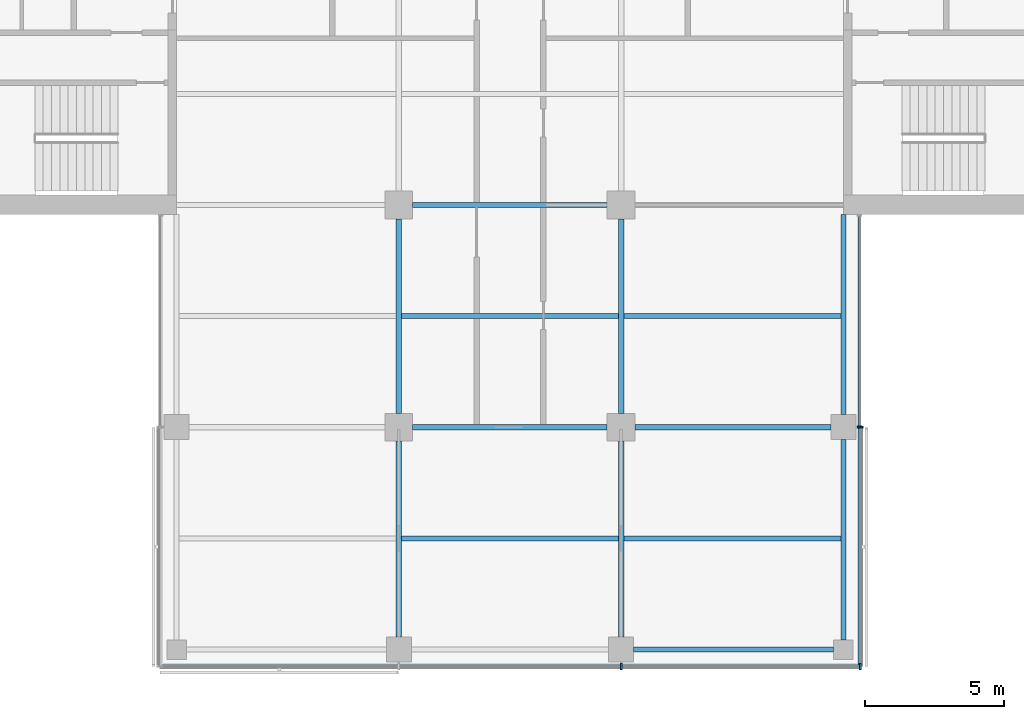
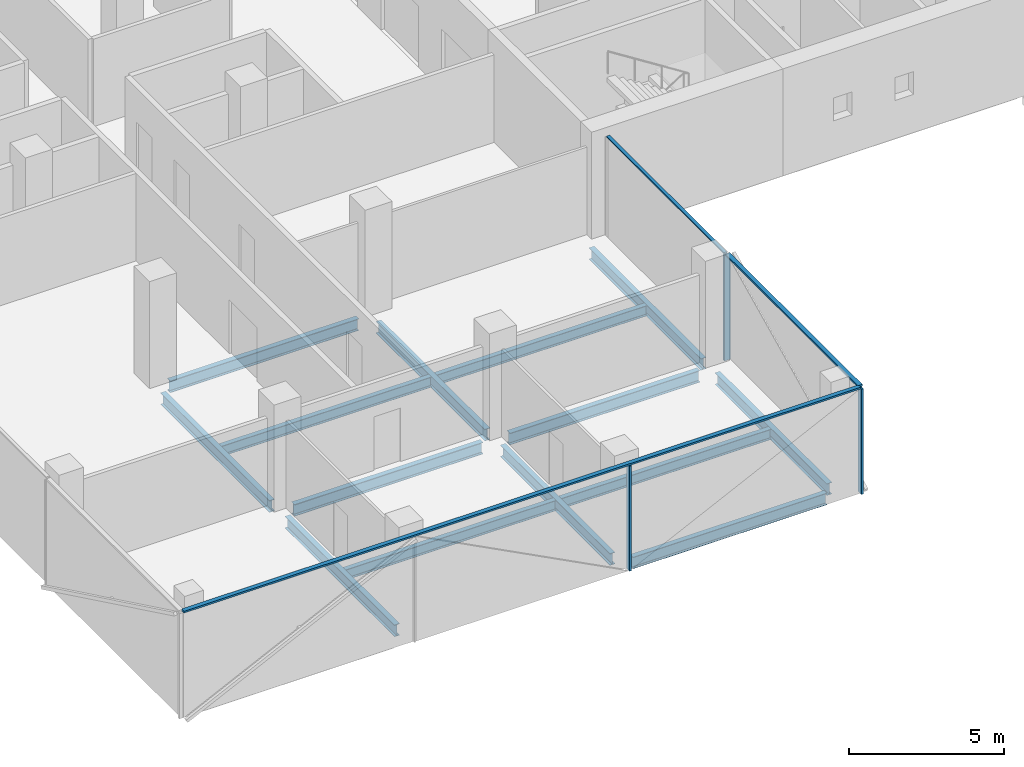
# One storey, part 5 of 22: 14 beams, 7 members, 3 elements without a shape of their own.
"""IFC4 building model written with IfcOpenShell, lengths in metres."""

from ifc_helpers import new_model, si_unit, direction, frame, origin, origin_2d, place, context, subcontext, project, spatial, rectangle, i_section, extrude, material, material_profile, profile_set, type_object, element, aggregate, save


model = new_model("IFC4")

# Units and contexts
model_context = context("Model", 3, precision=1e-05, world=origin(), true_north=direction((0.0, 1.0)))
body_context = subcontext(model_context, "Body", "Model", "MODEL_VIEW")
ifc_project = project(units=[si_unit("LENGTHUNIT", "METRE"), si_unit("AREAUNIT", "SQUARE_METRE"), si_unit("VOLUMEUNIT", "CUBIC_METRE"), si_unit("PLANEANGLEUNIT", "RADIAN"), si_unit("MASSUNIT", "GRAM", prefix="KILO")], contexts=[model_context])

# Site, building, storey
site_placement = place(None, origin())
site = spatial("IfcSite", under=ifc_project, at=site_placement, CompositionType="ELEMENT")
building_placement = place(site_placement, origin())
building = spatial("IfcBuilding", under=site, at=building_placement, Name="Crosswind Convention Tower", CompositionType="ELEMENT")
storey_placement = place(building_placement, frame((0.0, 0.0, 121.10009765625)))
storey = spatial("IfcBuildingStorey", under=building, at=storey_placement, Name="L24", CompositionType="ELEMENT", Elevation=121.10009765625)

# Beams
ifc_material_1 = material(Name="Steel S355", Category="steel")
ifc_material_profile_1 = material_profile(ifc_material_1, i_section(OverallWidth=0.18994140625, OverallDepth=0.45361328125, WebThickness=0.008544921875, FlangeThickness=0.0126953125, FilletRadius=0.01025390625, at=origin_2d()), Name="UB 457x191x67")
ifc_profile_set_1 = profile_set([ifc_material_profile_1], Name="Steel S355")
beam_type_1 = type_object("IfcBeamType", Name="Edge beam UB 457x191x67", PredefinedType="SPANDREL", material=ifc_profile_set_1)
for number, where, z_axis, x_axis, name in (
    (1, (129.449951171875, 72.0, -0.52685546875), (1.0, 0.0, 0.0), (0.0, 1.0, 0.0), "B16 L24 edge beam 14"),
    (2, (137.0, 72.35009765625, -0.52685546875), (0.0, 1.0, 0.0), (-1.0, 0.0, 0.0), "B16 L24 edge beam 16"),
    (3, (137.0, 80.449951171875, -0.52685546875), (0.0, 1.0, 0.0), (-1.0, 0.0, 0.0), "B16 L24 edge beam 17"),
):
    element("IfcBeam", number, at=place(storey_placement, frame(where, z_axis=z_axis, x_axis=x_axis)), inside=storey, type_object=beam_type_1, Name=name, PredefinedType="SPANDREL", context=body_context, shape_type="SweptSolid", body=[
        extrude(i_section(OverallWidth=0.18994140625, OverallDepth=0.45361328125, WebThickness=0.008544921875, FlangeThickness=0.0126953125, FilletRadius=0.01025390625, at=origin_2d()), origin(), (0.0, 0.0, 1.0), 7.199951171875),
    ])
ifc_material_profile_2 = material_profile(ifc_material_1, i_section(OverallWidth=0.19140625, OverallDepth=0.460205078125, WebThickness=0.010009765625, FlangeThickness=0.01611328125, FilletRadius=0.01025390625, at=origin_2d()), Name="UB 457x191x82")
ifc_profile_set_2 = profile_set([ifc_material_profile_2], Name="Steel S355")
beam_type_2 = type_object("IfcBeamType", Name="Girder UB 457x191x82", PredefinedType="BEAM", material=ifc_profile_set_2)
beam_1_placement = place(storey_placement, frame((121.0, 72.449951171875, -0.5302734375), z_axis=(0.0, 1.0, 0.0), x_axis=(-1.0, 0.0, 0.0)))
element("IfcBeam", 4, at=beam_1_placement, inside=storey, type_object=beam_type_2, Name="B3 L24 girder 3", PredefinedType="BEAM", context=body_context, shape_type="SweptSolid", body=[
    extrude(i_section(OverallWidth=0.19140625, OverallDepth=0.460205078125, WebThickness=0.010009765625, FlangeThickness=0.01611328125, FilletRadius=0.01025390625, at=origin_2d()), origin(), (0.0, 0.0, 1.0), 7.050048828125),
])
for number, where, z_axis, x_axis, name in (
    (5, (121.0, 80.5, -0.5302734375), (0.0, 1.0, 0.0), (-1.0, 0.0, 0.0), "B3 L24 girder 4"),
    (6, (121.5, 80.0, -0.5302734375), (1.0, 0.0, 0.0), (0.0, 1.0, 0.0), "B3 L24 girder 10"),
    (7, (121.5, 88.0, -0.5302734375), (1.0, 0.0, 0.0), (0.0, 1.0, 0.0), "B3 L24 girder 11"),
):
    element("IfcBeam", number, at=place(storey_placement, frame(where, z_axis=z_axis, x_axis=x_axis)), inside=storey, type_object=beam_type_2, Name=name, PredefinedType="BEAM", context=body_context, shape_type="SweptSolid", body=[
        extrude(i_section(OverallWidth=0.19140625, OverallDepth=0.460205078125, WebThickness=0.010009765625, FlangeThickness=0.01611328125, FilletRadius=0.01025390625, at=origin_2d()), origin(), (0.0, 0.0, 1.0), 7.0),
    ])
beam_2_placement = place(storey_placement, frame((129.0, 72.449951171875, -0.5302734375), z_axis=(0.0, 1.0, 0.0), x_axis=(-1.0, 0.0, 0.0)))
element("IfcBeam", 8, at=beam_2_placement, inside=storey, type_object=beam_type_2, Name="B3 L24 girder 16", PredefinedType="BEAM", context=body_context, shape_type="SweptSolid", body=[
    extrude(i_section(OverallWidth=0.19140625, OverallDepth=0.460205078125, WebThickness=0.010009765625, FlangeThickness=0.01611328125, FilletRadius=0.01025390625, at=origin_2d()), origin(), (0.0, 0.0, 1.0), 7.050048828125),
])
beam_3_placement = place(storey_placement, frame((129.0, 80.5, -0.5302734375), z_axis=(0.0, 1.0, 0.0), x_axis=(-1.0, 0.0, 0.0)))
element("IfcBeam", 9, at=beam_3_placement, inside=storey, type_object=beam_type_2, Name="B3 L24 girder 17", PredefinedType="BEAM", context=body_context, shape_type="SweptSolid", body=[
    extrude(i_section(OverallWidth=0.19140625, OverallDepth=0.460205078125, WebThickness=0.010009765625, FlangeThickness=0.01611328125, FilletRadius=0.01025390625, at=origin_2d()), origin(), (0.0, 0.0, 1.0), 7.0),
])
beam_4_placement = place(storey_placement, frame((129.5, 80.0, -0.5302734375), z_axis=(1.0, 0.0, 0.0), x_axis=(0.0, 1.0, 0.0)))
element("IfcBeam", 10, at=beam_4_placement, inside=storey, type_object=beam_type_2, Name="B3 L24 girder 23", PredefinedType="BEAM", context=body_context, shape_type="SweptSolid", body=[
    extrude(i_section(OverallWidth=0.19140625, OverallDepth=0.460205078125, WebThickness=0.010009765625, FlangeThickness=0.01611328125, FilletRadius=0.01025390625, at=origin_2d()), origin(), (0.0, 0.0, 1.0), 7.050048828125),
])

# Curtain wall, member
ifc_material_2 = material(Name="Aluminium unitised curtain wall", Category="aluminium")
curtain_wall_type_1 = type_object("IfcCurtainWallType", Name="CORE END SLOT WALL 160", PredefinedType="USERDEFINED", material=ifc_material_2)
curtain_wall_1_placement = place(storey_placement, origin())
curtain_wall_1 = element("IfcCurtainWall", 11, at=curtain_wall_1_placement, inside=storey, type_object=curtain_wall_type_1, Name="CW6 L24 S-E.1-2 slot", ObjectType="UNITISED", PredefinedType="USERDEFINED")
ifc_material_3 = material(Name="Aluminium mullion", Category="aluminium")
ifc_material_profile_3 = material_profile(ifc_material_3, rectangle(XDim=0.159912109375, YDim=0.050048828125, at=origin_2d()), Name="AL 160X50")
ifc_profile_set_3 = profile_set([ifc_material_profile_3], Name="Aluminium mullion")
member_type_1 = type_object("IfcMemberType", Name="MULLION 50X160", PredefinedType="MULLION", material=ifc_profile_set_3)
member_1_placement = place(storey_placement, frame((137.580078125, 80.02490234375, -0.300048828125), z_axis=(0.0, 0.0, 1.0), x_axis=(1.0, 0.0, 0.0)))
member_1 = element("IfcMember", 12, at=member_1_placement, type_object=member_type_1, Name="CW6 mullion 1", PredefinedType="MULLION", context=body_context, shape_type="SweptSolid", body=[
    extrude(rectangle(XDim=0.159912109375, YDim=0.050048828125, at=origin_2d()), origin(), (0.0, 0.0, 1.0), 4.14990234375),
])

# Curtain wall, members
curtain_wall_type_2 = type_object("IfcCurtainWallType", Name="OFFICE UNITISED WALL 220", PredefinedType="USERDEFINED", material=ifc_material_2)
curtain_wall_2_placement = place(storey_placement, origin())
curtain_wall_2 = element("IfcCurtainWall", 13, at=curtain_wall_2_placement, inside=storey, type_object=curtain_wall_type_2, Name="CW3 L24 S-TIP 1", ObjectType="UNITISED", PredefinedType="USERDEFINED")
ifc_material_profile_4 = material_profile(ifc_material_3, rectangle(XDim=0.219970703125, YDim=0.070068359375, at=origin_2d()), Name="AL 220X70")
ifc_profile_set_4 = profile_set([ifc_material_profile_4], Name="Aluminium mullion")
member_type_2 = type_object("IfcMemberType", Name="MULLION 70X220", PredefinedType="MULLION", material=ifc_profile_set_4)
member_2_placement = place(storey_placement, frame((129.0, 71.389892578125, -0.300048828125), z_axis=(0.0, 0.0, 1.0), x_axis=(0.0, -1.0, 0.0)))
member_2 = element("IfcMember", 14, at=member_2_placement, type_object=member_type_2, Name="CW3 mullion 3", PredefinedType="MULLION", context=body_context, shape_type="SweptSolid", body=[
    extrude(rectangle(XDim=0.219970703125, YDim=0.070068359375, at=origin_2d()), origin(), (0.0, 0.0, 1.0), 4.1298828125),
])
member_3_placement = place(storey_placement, frame((137.610107421875, 71.389892578125, -0.300048828125), z_axis=(0.0, 0.0, 1.0), x_axis=(0.0, -1.0, 0.0)))
member_3 = element("IfcMember", 15, at=member_3_placement, type_object=member_type_2, Name="CW3 mullion 4", PredefinedType="MULLION", context=body_context, shape_type="SweptSolid", body=[
    extrude(rectangle(XDim=0.219970703125, YDim=0.070068359375, at=origin_2d()), origin(), (0.0, 0.0, 1.0), 4.1298828125),
])

# Curtain wall, member
curtain_wall_3_placement = place(storey_placement, origin())
curtain_wall_3 = element("IfcCurtainWall", 16, at=curtain_wall_3_placement, inside=storey, type_object=curtain_wall_type_2, Name="CW3 L24 S-E 1", ObjectType="UNITISED", PredefinedType="USERDEFINED")
member_4_placement = place(storey_placement, frame((137.610107421875, 80.0, -0.300048828125), z_axis=(0.0, 0.0, 1.0), x_axis=(1.0, 0.0, 0.0)))
member_4 = element("IfcMember", 17, at=member_4_placement, type_object=member_type_2, Name="CW3 mullion 2", PredefinedType="MULLION", context=body_context, shape_type="SweptSolid", body=[
    extrude(rectangle(XDim=0.219970703125, YDim=0.070068359375, at=origin_2d()), origin(), (0.0, 0.0, 1.0), 4.1298828125),
])

# Beams
ifc_material_profile_5 = material_profile(ifc_material_1, i_section(OverallWidth=0.177734375, OverallDepth=0.406494140625, WebThickness=0.0078125, FlangeThickness=0.0126953125, FilletRadius=0.01025390625, at=origin_2d()), Name="UB 406x178x60")
ifc_profile_set_5 = profile_set([ifc_material_profile_5], Name="Steel S355")
beam_type_3 = type_object("IfcBeamType", Name="Secondary beam UB 406x178x60", PredefinedType="JOIST", material=ifc_profile_set_5)
for number, where, z_axis, x_axis, name in (
    (18, (121.095703125, 76.0, -0.50341796875), (1.0, 0.0, 0.0), (0.0, 1.0, 0.0), "B10 L24 secondary beam 11"),
    (19, (121.095703125, 84.0, -0.50341796875), (1.0, 0.0, 0.0), (0.0, 1.0, 0.0), "B10 L24 secondary beam 12"),
):
    element("IfcBeam", number, at=place(storey_placement, frame(where, z_axis=z_axis, x_axis=x_axis)), inside=storey, type_object=beam_type_3, Name=name, PredefinedType="JOIST", context=body_context, shape_type="SweptSolid", body=[
        extrude(i_section(OverallWidth=0.177734375, OverallDepth=0.406494140625, WebThickness=0.0078125, FlangeThickness=0.0126953125, FilletRadius=0.01025390625, at=origin_2d()), origin(), (0.0, 0.0, 1.0), 7.80859375),
    ])
for number, where, z_axis, x_axis, name in (
    (20, (129.095703125, 76.0, -0.50341796875), (1.0, 0.0, 0.0), (0.0, 1.0, 0.0), "B10 L24 secondary beam 18"),
    (21, (129.095703125, 84.0, -0.50341796875), (1.0, 0.0, 0.0), (0.0, 1.0, 0.0), "B10 L24 secondary beam 19"),
):
    element("IfcBeam", number, at=place(storey_placement, frame(where, z_axis=z_axis, x_axis=x_axis)), inside=storey, type_object=beam_type_3, Name=name, PredefinedType="JOIST", context=body_context, shape_type="SweptSolid", body=[
        extrude(i_section(OverallWidth=0.177734375, OverallDepth=0.406494140625, WebThickness=0.0078125, FlangeThickness=0.0126953125, FilletRadius=0.01025390625, at=origin_2d()), origin(), (0.0, 0.0, 1.0), 7.809326171875),
    ])

# Member
ifc_material_4 = material(Name="Aluminium transom", Category="aluminium")
ifc_material_profile_6 = material_profile(ifc_material_4, rectangle(XDim=0.1201171875, YDim=0.050048828125, at=origin_2d()), Name="AL 120X50")
ifc_profile_set_6 = profile_set([ifc_material_profile_6], Name="Aluminium transom")
member_type_3 = type_object("IfcMemberType", Name="TRANSOM 50X120", PredefinedType="USERDEFINED", material=ifc_profile_set_6)
member_5_placement = place(storey_placement, frame((137.580078125, 80.050048828125, 3.875), z_axis=(0.0, 1.0, 0.0), x_axis=(-1.0, 0.0, 0.0)))
member_5 = element("IfcMember", 22, at=member_5_placement, type_object=member_type_3, Name="CW6 transom", ObjectType="TRANSOM", PredefinedType="USERDEFINED", context=body_context, shape_type="SweptSolid", body=[
    extrude(rectangle(XDim=0.1201171875, YDim=0.050048828125, at=origin_2d()), origin(), (0.0, 0.0, 1.0), 7.550048828125),
])

aggregate(curtain_wall_1, [member_1, member_5])

ifc_material_profile_7 = material_profile(ifc_material_4, rectangle(XDim=0.159912109375, YDim=0.070068359375, at=origin_2d()), Name="AL 160X70")
ifc_profile_set_7 = profile_set([ifc_material_profile_7], Name="Aluminium transom")
member_type_4 = type_object("IfcMemberType", Name="TRANSOM 70X160", PredefinedType="USERDEFINED", material=ifc_profile_set_7)
member_6_placement = place(storey_placement, frame((112.425048828125, 71.389892578125, 3.864990234375), z_axis=(1.0, 0.0, 0.0), x_axis=(0.0, 1.0, 0.0)))
member_6 = element("IfcMember", 23, at=member_6_placement, type_object=member_type_4, Name="CW3 transom", ObjectType="TRANSOM", PredefinedType="USERDEFINED", context=body_context, shape_type="SweptSolid", body=[
    extrude(rectangle(XDim=0.159912109375, YDim=0.070068359375, at=origin_2d()), origin(), (0.0, 0.0, 1.0), 25.14990234375),
])

aggregate(curtain_wall_2, [member_2, member_3, member_6])

member_7_placement = place(storey_placement, frame((137.610107421875, 71.425048828125, 3.864990234375), z_axis=(0.0, 1.0, 0.0), x_axis=(-1.0, 0.0, 0.0)))
member_7 = element("IfcMember", 24, at=member_7_placement, type_object=member_type_4, Name="CW3 transom", ObjectType="TRANSOM", PredefinedType="USERDEFINED", context=body_context, shape_type="SweptSolid", body=[
    extrude(rectangle(XDim=0.159912109375, YDim=0.070068359375, at=origin_2d()), origin(), (0.0, 0.0, 1.0), 8.5400390625),
])

aggregate(curtain_wall_3, [member_4, member_7])

save(model, "model.ifc")
